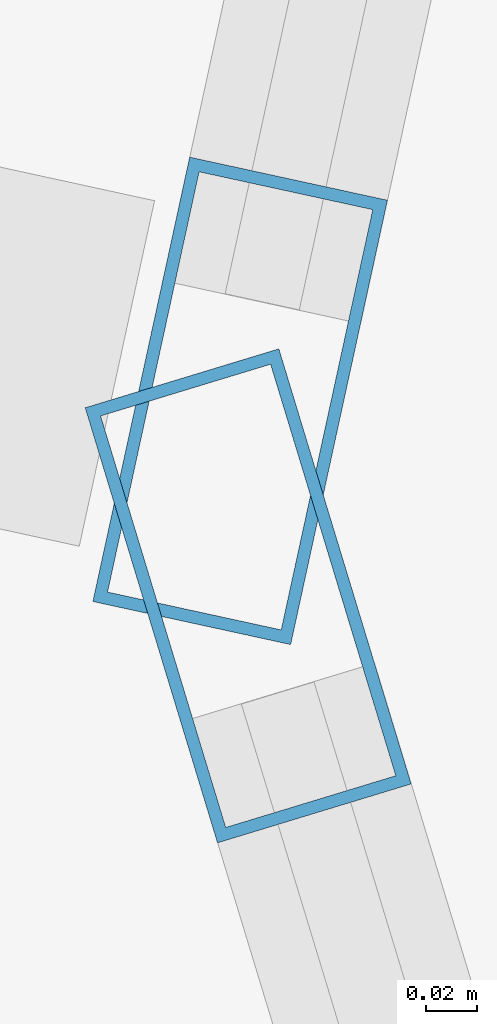
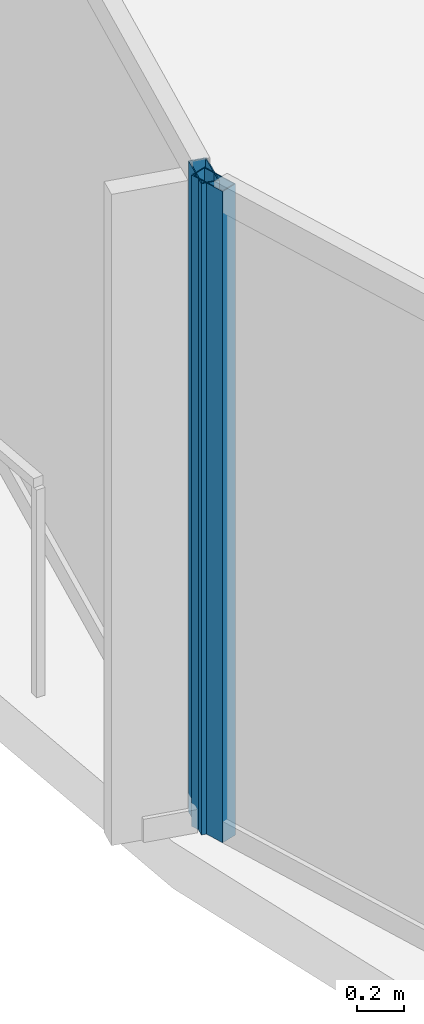
# One storey, part 8 of 34: 2 members, 2 elements without a shape of their own.
"""IFC4 building model written with IfcOpenShell, lengths in metres."""

from ifc_helpers import new_model, si_unit, direction, frame, origin, origin_2d, place, context, subcontext, project, spatial, hollow_rectangle, extrude, material, layer, layer_set, material_profile, profile_set, type_object, element, aggregate, save


model = new_model("IFC4")

# Units and contexts
model_context = context("Model", 3, precision=1e-05, world=origin(), true_north=direction((0.0, 1.0)))
body_context = subcontext(model_context, "Body", "Model", "MODEL_VIEW")
ifc_project = project(units=[si_unit("LENGTHUNIT", "METRE"), si_unit("AREAUNIT", "SQUARE_METRE"), si_unit("VOLUMEUNIT", "CUBIC_METRE"), si_unit("PLANEANGLEUNIT", "RADIAN"), si_unit("MASSUNIT", "GRAM", prefix="KILO")], contexts=[model_context])

# Site, building, storey
site_placement = place(None, origin())
site = spatial("IfcSite", under=ifc_project, at=site_placement, CompositionType="ELEMENT")
building_placement = place(site_placement, origin())
building = spatial("IfcBuilding", under=site, at=building_placement, Name="Kazevale Care Tower and Concert Hall", CompositionType="ELEMENT")
storey_placement = place(building_placement, frame((0.0, 0.0, 171.0)))
storey = spatial("IfcBuildingStorey", under=building, at=storey_placement, Name="L45", CompositionType="ELEMENT", Elevation=171.0)

# Curtain wall, member
ifc_material_1 = material(Name="Aluminium 6063-T6 and Low-E Glass", Category="aluminium")
ifc_layer = layer(ifc_material_1, 0.179931640625)
ifc_layer_set = layer_set([ifc_layer], Name="Aluminium 6063-T6 and Low-E Glass")
curtain_wall_type = type_object("IfcCurtainWallType", Name="Waist & Upper Residential Curtain Wall CW-4", PredefinedType="NOTDEFINED", material=ifc_layer_set)
curtain_wall_1_placement = place(storey_placement, origin())
curtain_wall_1 = element("IfcCurtainWall", 1, at=curtain_wall_1_placement, inside=storey, type_object=curtain_wall_type, Name="cw:L45:f12", PredefinedType="NOTDEFINED")
ifc_material_2 = material(Name="Aluminium 6063-T6", Category="aluminium")
ifc_material_profile = material_profile(ifc_material_2, hollow_rectangle(XDim=0.080078125, YDim=0.179931640625, WallThickness=0.0048828125, at=origin_2d()), Name="ALU80x180x5")
ifc_profile_set = profile_set([ifc_material_profile], Name="Aluminium 6063-T6")
member_type = type_object("IfcMemberType", Name="CW-4 Mullion ALU80x180x5", PredefinedType="MULLION", material=ifc_profile_set)
member_1_placement = place(storey_placement, frame((11.006591796875, 34.98583984375, 0.0), z_axis=(0.0, 0.0, 1.0), x_axis=(-0.956729897234, -0.290977496961, 0.0)))
member_1 = element("IfcMember", 2, at=member_1_placement, type_object=member_type, Name="CW-4 mullion 2", PredefinedType="MULLION", context=body_context, shape_type="SweptSolid", body=[
    extrude(hollow_rectangle(XDim=0.080078125, YDim=0.179931640625, WallThickness=0.0048828125, at=origin_2d()), origin(), (0.0, 0.0, 1.0), 3.360107421875),
])
aggregate(curtain_wall_1, [member_1])

curtain_wall_2_placement = place(storey_placement, origin())
curtain_wall_2 = element("IfcCurtainWall", 3, at=curtain_wall_2_placement, inside=storey, type_object=curtain_wall_type, Name="cw:L45:f13", PredefinedType="NOTDEFINED")
member_2_placement = place(storey_placement, frame((11.00341796875, 35.06298828125, 0.0), z_axis=(0.0, 0.0, 1.0), x_axis=(-0.977090755849, 0.21282305992, 0.0)))
member_2 = element("IfcMember", 4, at=member_2_placement, type_object=member_type, Name="CW-4 mullion 1", PredefinedType="MULLION", context=body_context, shape_type="SweptSolid", body=[
    extrude(hollow_rectangle(XDim=0.080078125, YDim=0.179931640625, WallThickness=0.0048828125, at=origin_2d()), origin(), (0.0, 0.0, 1.0), 3.360107421875),
])
aggregate(curtain_wall_2, [member_2])

save(model, "model.ifc")
